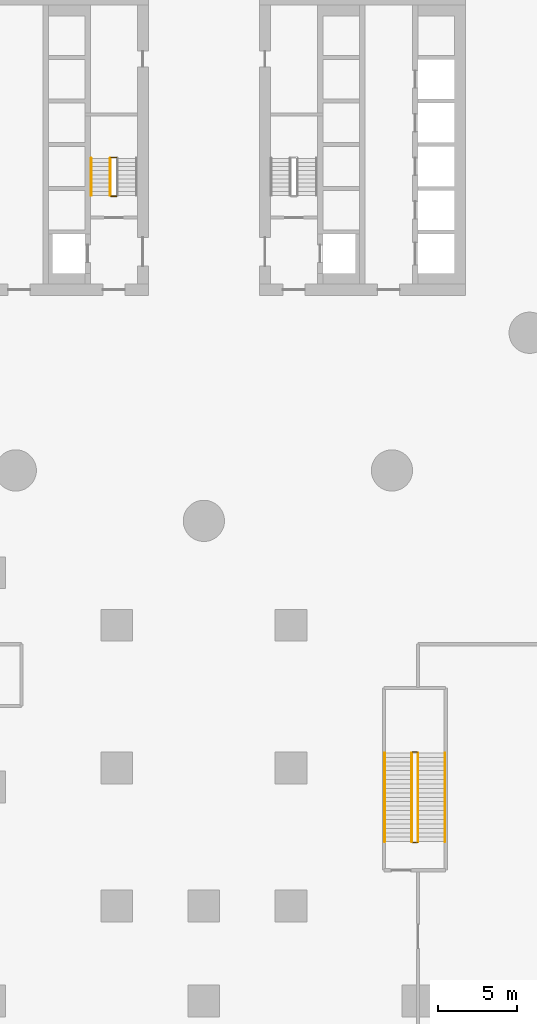
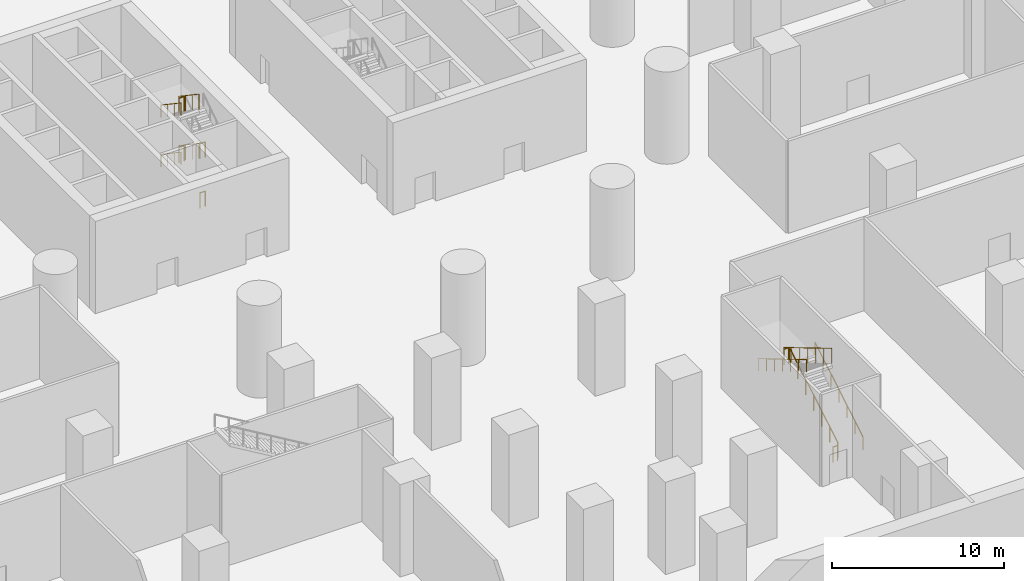
# One storey, part 18 of 30: 14 railings.
"""IFC4 building model written with IfcOpenShell, lengths in metres."""

import ifcopenshell
import ifcopenshell.guid

model = None  # the IFC model being written
_history = None  # IfcOwnerHistory: only IFC2X3 demands one
_inside = {}  # id of a spatial element -> (the spatial element, [elements in it])
_under = {}  # id of a project, library or spatial element -> (it, [spatial elements below it])
_declared = {}  # id of a project -> (the project, [libraries it declares])
_typed = {}  # id of a type object -> (the type object, [elements of that type])
_made_of = {}  # id of a material, layer set ... -> (it, [elements and type objects made of it])


def new_model(schema):
    """Start an empty IFC model of exactly this schema.

    Asked for "IFC4X3", IfcOpenShell would pick the latest addendum, in which some entities
    have other attributes; the version numbers below select the first issue.
    IFC2X3 requires an IfcOwnerHistory on every rooted entity: one is made here for all.
    """
    global model, _history
    if schema == "IFC4X3":
        model = ifcopenshell.file(schema_version=(4, 3, 0, 0))
    else:
        model = ifcopenshell.file(schema=schema)
    _inside.clear()
    _under.clear()
    _declared.clear()
    _typed.clear()
    _made_of.clear()
    _history = None
    if model.schema == "IFC2X3":
        org = make("IfcOrganization", Name="unknown")
        user = make(
            "IfcPersonAndOrganization",
            ThePerson=make("IfcPerson", FamilyName="unknown"),
            TheOrganization=org,
        )
        app = make(
            "IfcApplication",
            ApplicationDeveloper=org,
            Version="unknown",
            ApplicationFullName="unknown",
            ApplicationIdentifier="unknown",
        )
        _history = make(
            "IfcOwnerHistory",
            OwningUser=user,
            OwningApplication=app,
            ChangeAction="ADDED",
            CreationDate=0,
        )
    return model


def make(cls, **values):
    """One entity of the class cls with the attributes given. An attribute that is None is left unset."""
    return model.create_entity(
        cls, **{name: value for name, value in values.items() if value is not None}
    )


def rooted(cls, **values):
    """An entity with a GlobalId (a new one), such as an element, a storey or a relation."""
    return make(cls, GlobalId=ifcopenshell.guid.new(), OwnerHistory=_history, **values)


def si_unit(unit_type, name, prefix=None):
    """IfcSIUnit, for example si_unit("LENGTHUNIT", "METRE", prefix="MILLI")."""
    return make("IfcSIUnit", UnitType=unit_type, Prefix=prefix, Name=name)


def assignment(units):
    """IfcUnitAssignment: the units of a project."""
    return None if units is None else make("IfcUnitAssignment", Units=units)


def point(xyz):
    """IfcCartesianPoint."""
    return None if xyz is None else make("IfcCartesianPoint", Coordinates=xyz)


def direction(xyz):
    """IfcDirection."""
    return None if xyz is None else make("IfcDirection", DirectionRatios=xyz)


def frame(location, z_axis=None, x_axis=None):
    """IfcAxis2Placement3D, a coordinate frame: its origin and axes. An axis left out is left unset."""
    return make(
        "IfcAxis2Placement3D",
        Location=point(location),
        Axis=direction(z_axis),
        RefDirection=direction(x_axis),
    )


def frame_2d(location, x_axis=None):
    """IfcAxis2Placement2D, a coordinate frame in the plane: its origin and x axis."""
    return make(
        "IfcAxis2Placement2D", Location=point(location), RefDirection=direction(x_axis)
    )


def origin():
    """The frame at (0, 0, 0) with its axes left unset."""
    return frame((0.0, 0.0, 0.0))


def origin_2d():
    """The frame at (0, 0) in the plane with its x axis left unset."""
    return frame_2d((0.0, 0.0))


def place(relative_to, where):
    """IfcLocalPlacement: puts the frame where relative to a parent placement (None: the world)."""
    return make(
        "IfcLocalPlacement", PlacementRelTo=relative_to, RelativePlacement=where
    )


def context(
    kind, dimensions, precision=None, world=None, true_north=None, identifier=None
):
    """IfcGeometricRepresentationContext, for example the 3D "Model" context."""
    return make(
        "IfcGeometricRepresentationContext",
        ContextIdentifier=identifier,
        ContextType=kind,
        CoordinateSpaceDimension=dimensions,
        Precision=precision,
        WorldCoordinateSystem=world,
        TrueNorth=true_north,
    )


def subcontext(parent, identifier, kind, view, scale=None):
    """IfcGeometricRepresentationSubContext, for example "Body" below "Model"."""
    return make(
        "IfcGeometricRepresentationSubContext",
        ContextIdentifier=identifier,
        ContextType=kind,
        ParentContext=parent,
        TargetScale=scale,
        TargetView=view,
    )


def project(units=None, contexts=None):
    """IfcProject with its units and contexts."""
    return rooted(
        "IfcProject",
        Name="project",
        RepresentationContexts=contexts,
        UnitsInContext=assignment(units),
    )


def spatial(cls, under=None, at=None, **own):
    """A site, building, storey or space (cls), placed at a placement, below another one or the project."""
    s = rooted(cls, ObjectPlacement=at, **own)
    if under is not None:
        _under.setdefault(under.id(), (under, []))[1].append(s)
    return s


def profile(cls, at=None, kind="AREA", **sizes):
    """A parametric profile (cls). Its sizes go by their IFC names, for example OverallWidth=200.0."""
    return make(cls, ProfileType=kind, Position=at, **sizes)


def circle(**sizes):
    """IfcCircleProfileDef."""
    return profile("IfcCircleProfileDef", **sizes)


def extrude(swept, where, along, depth):
    """IfcExtrudedAreaSolid: the profile swept, set in the frame where, extruded along a direction by depth."""
    return make(
        "IfcExtrudedAreaSolid",
        SweptArea=swept,
        Position=where,
        ExtrudedDirection=direction(along),
        Depth=depth,
    )


def shape(context_of_items, identifier, shape_type, items):
    """IfcShapeRepresentation: the items that make up one representation, for example the "Body"."""
    return make(
        "IfcShapeRepresentation",
        ContextOfItems=context_of_items,
        RepresentationIdentifier=identifier,
        RepresentationType=shape_type,
        Items=items,
    )


def material(Name=None, Category=None):
    """IfcMaterial."""
    return make("IfcMaterial", Name=Name, Category=Category)


def made_of(thing, what):
    """Note that an element or type object is made of a material, layer set ...; save() writes the relation."""
    if what is not None:
        _made_of.setdefault(what.id(), (what, []))[1].append(thing)
    return thing


def type_object(cls, material=None, **own):
    """A type object (cls), such as IfcWallType, which elements share."""
    return made_of(rooted(cls, **own), material)


def element(
    cls,
    number,
    at=None,
    inside=None,
    cuts=None,
    type_object=None,
    material=None,
    context=None,
    identifier="Body",
    shape_type=None,
    held_by="IfcProductDefinitionShape",
    body=None,
    shapes=None,
    **own,
):
    """One element of the class cls, such as IfcWall. Its Tag is "e" and its number.

    at: its placement. inside: the storey or other place that contains it. cuts: it is an
    opening in that element (IfcRelVoidsElement). A single representation is given by context,
    identifier, shape_type and body (its items); several are given by shapes. held_by: the class
    of the entity that holds the representations. save() writes the other relations.
    """
    e = rooted(cls, Tag="e%d" % number, ObjectPlacement=at, **own)
    if body is not None:
        shapes = [shape(context, identifier, shape_type, body)]
    if shapes is not None:
        e.Representation = make(held_by, Representations=shapes)
    if inside is not None:
        _inside.setdefault(inside.id(), (inside, []))[1].append(e)
    if cuts is not None:
        rooted(
            "IfcRelVoidsElement", RelatingBuildingElement=cuts, RelatedOpeningElement=e
        )
    if type_object is not None:
        _typed.setdefault(type_object.id(), (type_object, []))[1].append(e)
    return made_of(e, material)


def aggregate(whole, parts):
    """IfcRelAggregates: a whole, such as a stair, and the parts it consists of."""
    return rooted("IfcRelAggregates", RelatingObject=whole, RelatedObjects=parts)


def save(model, path):
    """Write the relations noted so far, then the file.

    IfcRelAggregates (storeys below a building ...), IfcRelContainedInSpatialStructure (elements
    in a storey), IfcRelDefinesByType, IfcRelAssociatesMaterial and IfcRelDeclares: one each for
    every whole, place, type object, material and project.
    """
    for whole, parts in _under.values():
        aggregate(whole, parts)
    for where, things in _inside.values():
        rooted(
            "IfcRelContainedInSpatialStructure",
            RelatedElements=things,
            RelatingStructure=where,
        )
    for kind, things in _typed.values():
        rooted("IfcRelDefinesByType", RelatedObjects=things, RelatingType=kind)
    for what, things in _made_of.values():
        rooted("IfcRelAssociatesMaterial", RelatedObjects=things, RelatingMaterial=what)
    for by, libraries in _declared.values():
        rooted("IfcRelDeclares", RelatingContext=by, RelatedDefinitions=libraries)
    model.write(path)


model = new_model("IFC4")

# Units and contexts
model_context = context("Model", 3, precision=1e-05, world=origin(), true_north=direction((0.0, 1.0)))
body_context = subcontext(model_context, "Body", "Model", "MODEL_VIEW")
ifc_project = project(units=[si_unit("LENGTHUNIT", "METRE"), si_unit("AREAUNIT", "SQUARE_METRE"), si_unit("VOLUMEUNIT", "CUBIC_METRE"), si_unit("PLANEANGLEUNIT", "RADIAN"), si_unit("MASSUNIT", "GRAM", prefix="KILO")], contexts=[model_context])

# Site, building, storey
site_placement = place(None, origin())
site = spatial("IfcSite", under=ifc_project, at=site_placement, CompositionType="ELEMENT")
building_placement = place(site_placement, origin())
building = spatial("IfcBuilding", under=site, at=building_placement, Name="Tamarind Cross Interchange Tower", CompositionType="ELEMENT")
storey_placement = place(building_placement, frame((0.0, 0.0, -14.0)))
storey = spatial("IfcBuildingStorey", under=building, at=storey_placement, Name="B2", CompositionType="ELEMENT", Elevation=-14.0)

# Railings
ifc_material_1 = material(Name="Public stair guard")
railing_type_1 = type_object("IfcRailingType", Name="Public stair guard", PredefinedType="GUARDRAIL", material=ifc_material_1)
railing_1_placement = place(storey_placement, frame((13.5, -43.949951171875, 0.166748046875)))
element("IfcRailing", 1, at=railing_1_placement, inside=storey, type_object=railing_type_1, Name="B2 XS-P12 stair guard 1", PredefinedType="GUARDRAIL", context=body_context, shape_type="SweptSolid", body=[
    extrude(circle(Radius=0.02392578125, at=origin_2d()), frame((0.0, 0.0, 1.076171875), z_axis=(0.0, 0.859292492371, 0.511484518392), x_axis=(-1.0, 0.0, 0.0)), (0.0, 0.0, 1.0), 6.516845703125),
    extrude(circle(Radius=0.02099609375, at=origin_2d()), origin(), (0.0, 0.0, 1.0), 1.052001953125),
    extrude(circle(Radius=0.02099609375, at=origin_2d()), frame((0.0, 0.933349609375, 0.5556640625)), (0.0, 0.0, 1.0), 1.052001953125),
    extrude(circle(Radius=0.02099609375, at=origin_2d()), frame((0.0, 1.86669921875, 1.111083984375)), (0.0, 0.0, 1.0), 1.052001953125),
    extrude(circle(Radius=0.02099609375, at=origin_2d()), frame((0.0, 2.7998046875, 1.66650390625)), (0.0, 0.0, 1.0), 1.052001953125),
    extrude(circle(Radius=0.02099609375, at=origin_2d()), frame((0.0, 3.733154296875, 2.22216796875)), (0.0, 0.0, 1.0), 1.052001953125),
    extrude(circle(Radius=0.02099609375, at=origin_2d()), frame((0.0, 4.66650390625, 2.77783203125)), (0.0, 0.0, 1.0), 1.052001953125),
    extrude(circle(Radius=0.02099609375, at=origin_2d()), frame((0.0, 5.599853515625, 3.333251953125)), (0.0, 0.0, 1.0), 1.052001953125),
])
railing_2_placement = place(storey_placement, frame((13.449951171875, -38.300048828125, 3.5)))
element("IfcRailing", 2, at=railing_2_placement, inside=storey, type_object=railing_type_1, Name="B2 XS-P12 stair guard 2", PredefinedType="GUARDRAIL", context=body_context, shape_type="SweptSolid", body=[
    extrude(circle(Radius=0.02392578125, at=origin_2d()), frame((0.0, 0.0, 1.076171875), z_axis=(-1.0, 0.0, 0.0), x_axis=(0.0, -1.0, 0.0)), (0.0, 0.0, 1.0), 0.300048828125),
    extrude(circle(Radius=0.02099609375, at=origin_2d()), origin(), (0.0, 0.0, 1.0), 1.052001953125),
    extrude(circle(Radius=0.02099609375, at=origin_2d()), frame((-0.300048828125, 0.0, 0.0)), (0.0, 0.0, 1.0), 1.052001953125),
])
railing_3_placement = place(storey_placement, frame((13.10009765625, -38.35009765625, 3.666748046875)))
element("IfcRailing", 3, at=railing_3_placement, inside=storey, type_object=railing_type_1, Name="B2 XS-P12 stair guard 3", PredefinedType="GUARDRAIL", context=body_context, shape_type="SweptSolid", body=[
    extrude(circle(Radius=0.02392578125, at=origin_2d()), frame((0.0, 0.0, 1.076171875), z_axis=(0.0, -0.859292492371, 0.511484518392), x_axis=(1.0, 0.0, 0.0)), (0.0, 0.0, 1.0), 6.516845703125),
    extrude(circle(Radius=0.02099609375, at=origin_2d()), origin(), (0.0, 0.0, 1.0), 1.052001953125),
    extrude(circle(Radius=0.02099609375, at=origin_2d()), frame((0.0, -0.933349609375, 0.5556640625)), (0.0, 0.0, 1.0), 1.052001953125),
    extrude(circle(Radius=0.02099609375, at=origin_2d()), frame((0.0, -1.86669921875, 1.111083984375)), (0.0, 0.0, 1.0), 1.052001953125),
    extrude(circle(Radius=0.02099609375, at=origin_2d()), frame((0.0, -2.7998046875, 1.66650390625)), (0.0, 0.0, 1.0), 1.052001953125),
    extrude(circle(Radius=0.02099609375, at=origin_2d()), frame((0.0, -3.733154296875, 2.22216796875)), (0.0, 0.0, 1.0), 1.052001953125),
    extrude(circle(Radius=0.02099609375, at=origin_2d()), frame((0.0, -4.66650390625, 2.77783203125)), (0.0, 0.0, 1.0), 1.052001953125),
    extrude(circle(Radius=0.02099609375, at=origin_2d()), frame((0.0, -5.599853515625, 3.333251953125)), (0.0, 0.0, 1.0), 1.052001953125),
])
railing_4_placement = place(storey_placement, frame((13.449951171875, -44.0, 0.0)))
element("IfcRailing", 4, at=railing_4_placement, inside=storey, type_object=railing_type_1, Name="B2 XS-P12 stair guard 4", PredefinedType="GUARDRAIL", context=body_context, shape_type="SweptSolid", body=[
    extrude(circle(Radius=0.02392578125, at=origin_2d()), frame((0.0, 0.0, 1.076171875), z_axis=(-1.0, 0.0, 0.0), x_axis=(0.0, -1.0, 0.0)), (0.0, 0.0, 1.0), 0.300048828125),
    extrude(circle(Radius=0.02099609375, at=origin_2d()), origin(), (0.0, 0.0, 1.0), 1.052001953125),
    extrude(circle(Radius=0.02099609375, at=origin_2d()), frame((-0.300048828125, 0.0, 0.0)), (0.0, 0.0, 1.0), 1.052001953125),
])
ifc_material_2 = material(Name="Public stair handrail")
railing_type_2 = type_object("IfcRailingType", Name="Public stair handrail", PredefinedType="HANDRAIL", material=ifc_material_2)
railing_5_placement = place(storey_placement, frame((15.199951171875, -43.949951171875, 0.166748046875)))
element("IfcRailing", 5, at=railing_5_placement, inside=storey, type_object=railing_type_2, Name="B2 XS-P12 stair handrail 1", PredefinedType="HANDRAIL", context=body_context, shape_type="SweptSolid", body=[
    extrude(circle(Radius=0.02392578125, at=origin_2d()), frame((0.0, 0.0, 0.8759765625), z_axis=(0.0, 0.859292492371, 0.511484518392), x_axis=(-1.0, 0.0, 0.0)), (0.0, 0.0, 1.0), 6.516845703125),
    extrude(circle(Radius=0.02099609375, at=origin_2d()), origin(), (0.0, 0.0, 1.0), 0.851806640625),
    extrude(circle(Radius=0.02099609375, at=origin_2d()), frame((0.0, 0.933349609375, 0.5556640625)), (0.0, 0.0, 1.0), 0.851806640625),
    extrude(circle(Radius=0.02099609375, at=origin_2d()), frame((0.0, 1.86669921875, 1.111083984375)), (0.0, 0.0, 1.0), 0.851806640625),
    extrude(circle(Radius=0.02099609375, at=origin_2d()), frame((0.0, 2.7998046875, 1.66650390625)), (0.0, 0.0, 1.0), 0.851806640625),
    extrude(circle(Radius=0.02099609375, at=origin_2d()), frame((0.0, 3.733154296875, 2.22216796875)), (0.0, 0.0, 1.0), 0.851806640625),
    extrude(circle(Radius=0.02099609375, at=origin_2d()), frame((0.0, 4.66650390625, 2.77783203125)), (0.0, 0.0, 1.0), 0.851806640625),
    extrude(circle(Radius=0.02099609375, at=origin_2d()), frame((0.0, 5.599853515625, 3.333251953125)), (0.0, 0.0, 1.0), 0.851806640625),
])
railing_6_placement = place(storey_placement, frame((11.39990234375, -38.35009765625, 3.666748046875)))
element("IfcRailing", 6, at=railing_6_placement, inside=storey, type_object=railing_type_2, Name="B2 XS-P12 stair handrail 2", PredefinedType="HANDRAIL", context=body_context, shape_type="SweptSolid", body=[
    extrude(circle(Radius=0.02392578125, at=origin_2d()), frame((0.0, 0.0, 0.8759765625), z_axis=(0.0, -0.859292492371, 0.511484518392), x_axis=(1.0, 0.0, 0.0)), (0.0, 0.0, 1.0), 6.516845703125),
    extrude(circle(Radius=0.02099609375, at=origin_2d()), origin(), (0.0, 0.0, 1.0), 0.851806640625),
    extrude(circle(Radius=0.02099609375, at=origin_2d()), frame((0.0, -0.933349609375, 0.5556640625)), (0.0, 0.0, 1.0), 0.851806640625),
    extrude(circle(Radius=0.02099609375, at=origin_2d()), frame((0.0, -1.86669921875, 1.111083984375)), (0.0, 0.0, 1.0), 0.851806640625),
    extrude(circle(Radius=0.02099609375, at=origin_2d()), frame((0.0, -2.7998046875, 1.66650390625)), (0.0, 0.0, 1.0), 0.851806640625),
    extrude(circle(Radius=0.02099609375, at=origin_2d()), frame((0.0, -3.733154296875, 2.22216796875)), (0.0, 0.0, 1.0), 0.851806640625),
    extrude(circle(Radius=0.02099609375, at=origin_2d()), frame((0.0, -4.66650390625, 2.77783203125)), (0.0, 0.0, 1.0), 0.851806640625),
    extrude(circle(Radius=0.02099609375, at=origin_2d()), frame((0.0, -5.599853515625, 3.333251953125)), (0.0, 0.0, 1.0), 0.851806640625),
])
ifc_material_3 = material(Name="Stair guard")
railing_type_3 = type_object("IfcRailingType", Name="Stair guard", PredefinedType="GUARDRAIL", material=ifc_material_3)
railing_7_placement = place(storey_placement, frame((-5.5, -0.81005859375, 1.75)))
element("IfcRailing", 7, at=railing_7_placement, inside=storey, type_object=railing_type_3, Name="B2 ST1 stair guard 2", PredefinedType="GUARDRAIL", context=body_context, shape_type="SweptSolid", body=[
    extrude(circle(Radius=0.02392578125, at=origin_2d()), frame((0.0, 0.0, 1.076171875), z_axis=(-1.0, 0.0, 0.0), x_axis=(0.0, -1.0, 0.0)), (0.0, 0.0, 1.0), 0.35009765625),
    extrude(circle(Radius=0.02099609375, at=origin_2d()), origin(), (0.0, 0.0, 1.0), 1.052001953125),
    extrude(circle(Radius=0.02099609375, at=origin_2d()), frame((-0.35009765625, 0.0, 0.0)), (0.0, 0.0, 1.0), 1.052001953125),
])
railing_8_placement = place(storey_placement, frame((-5.89990234375, -0.860107421875, 1.925048828125)))
element("IfcRailing", 8, at=railing_8_placement, inside=storey, type_object=railing_type_3, Name="B2 ST1 stair guard 3", PredefinedType="GUARDRAIL", context=body_context, shape_type="SweptSolid", body=[
    extrude(circle(Radius=0.02392578125, at=origin_2d()), frame((0.0, 0.0, 1.076171875), z_axis=(0.0, -0.829578494604, 0.558390115681), x_axis=(1.0, 0.0, 0.0)), (0.0, 0.0, 1.0), 2.820556640625),
    extrude(circle(Radius=0.02099609375, at=origin_2d()), origin(), (0.0, 0.0, 1.0), 1.052001953125),
    extrude(circle(Radius=0.02099609375, at=origin_2d()), frame((0.0, -0.780029296875, 0.52490234375)), (0.0, 0.0, 1.0), 1.052001953125),
    extrude(circle(Radius=0.02099609375, at=origin_2d()), frame((0.0, -1.559814453125, 1.050048828125)), (0.0, 0.0, 1.0), 1.052001953125),
    extrude(circle(Radius=0.02099609375, at=origin_2d()), frame((0.0, -2.33984375, 1.574951171875)), (0.0, 0.0, 1.0), 1.052001953125),
])
for number, where, name in (
    (9, (-5.5, -3.25, 3.5), "B2 ST1 stair guard 4"),
    (10, (-5.5, -0.81005859375, 5.25), "B2 ST1 stair guard 6"),
):
    element("IfcRailing", number, at=place(storey_placement, frame(where)), inside=storey, type_object=railing_type_3, Name=name, PredefinedType="GUARDRAIL", context=body_context, shape_type="SweptSolid", body=[
        extrude(circle(Radius=0.02392578125, at=origin_2d()), frame((0.0, 0.0, 1.076171875), z_axis=(-1.0, 0.0, 0.0), x_axis=(0.0, -1.0, 0.0)), (0.0, 0.0, 1.0), 0.35009765625),
        extrude(circle(Radius=0.02099609375, at=origin_2d()), origin(), (0.0, 0.0, 1.0), 1.052001953125),
        extrude(circle(Radius=0.02099609375, at=origin_2d()), frame((-0.35009765625, 0.0, 0.0)), (0.0, 0.0, 1.0), 1.052001953125),
    ])
railing_9_placement = place(storey_placement, frame((-5.89990234375, -0.860107421875, 5.425048828125)))
element("IfcRailing", 11, at=railing_9_placement, inside=storey, type_object=railing_type_3, Name="B2 ST1 stair guard 7", PredefinedType="GUARDRAIL", context=body_context, shape_type="SweptSolid", body=[
    extrude(circle(Radius=0.02392578125, at=origin_2d()), frame((0.0, 0.0, 1.076171875), z_axis=(0.0, -0.829578494604, 0.558390115681), x_axis=(1.0, 0.0, 0.0)), (0.0, 0.0, 1.0), 2.820556640625),
    extrude(circle(Radius=0.02099609375, at=origin_2d()), origin(), (0.0, 0.0, 1.0), 1.052001953125),
    extrude(circle(Radius=0.02099609375, at=origin_2d()), frame((0.0, -0.780029296875, 0.52490234375)), (0.0, 0.0, 1.0), 1.052001953125),
    extrude(circle(Radius=0.02099609375, at=origin_2d()), frame((0.0, -1.559814453125, 1.050048828125)), (0.0, 0.0, 1.0), 1.052001953125),
    extrude(circle(Radius=0.02099609375, at=origin_2d()), frame((0.0, -2.33984375, 1.574951171875)), (0.0, 0.0, 1.0), 1.052001953125),
])
railing_10_placement = place(storey_placement, frame((-5.5, -3.25, 0.0)))
element("IfcRailing", 12, at=railing_10_placement, inside=storey, type_object=railing_type_3, Name="B2 ST1 stair guard 8", PredefinedType="GUARDRAIL", context=body_context, shape_type="SweptSolid", body=[
    extrude(circle(Radius=0.02392578125, at=origin_2d()), frame((0.0, 0.0, 1.076171875), z_axis=(-1.0, 0.0, 0.0), x_axis=(0.0, -1.0, 0.0)), (0.0, 0.0, 1.0), 0.35009765625),
    extrude(circle(Radius=0.02099609375, at=origin_2d()), origin(), (0.0, 0.0, 1.0), 1.052001953125),
    extrude(circle(Radius=0.02099609375, at=origin_2d()), frame((-0.35009765625, 0.0, 0.0)), (0.0, 0.0, 1.0), 1.052001953125),
])
ifc_material_4 = material(Name="Stair handrail")
railing_type_4 = type_object("IfcRailingType", Name="Stair handrail", PredefinedType="HANDRAIL", material=ifc_material_4)
for number, where, name in (
    (13, (-7.10009765625, -0.860107421875, 1.925048828125), "B2 ST1 stair handrail 2"),
    (14, (-7.10009765625, -0.860107421875, 5.425048828125), "B2 ST1 stair handrail 4"),
):
    element("IfcRailing", number, at=place(storey_placement, frame(where)), inside=storey, type_object=railing_type_4, Name=name, PredefinedType="HANDRAIL", context=body_context, shape_type="SweptSolid", body=[
        extrude(circle(Radius=0.02392578125, at=origin_2d()), frame((0.0, 0.0, 0.8759765625), z_axis=(0.0, -0.829578494604, 0.558390115681), x_axis=(1.0, 0.0, 0.0)), (0.0, 0.0, 1.0), 2.820556640625),
        extrude(circle(Radius=0.02099609375, at=origin_2d()), origin(), (0.0, 0.0, 1.0), 0.851806640625),
        extrude(circle(Radius=0.02099609375, at=origin_2d()), frame((0.0, -0.780029296875, 0.52490234375)), (0.0, 0.0, 1.0), 0.851806640625),
        extrude(circle(Radius=0.02099609375, at=origin_2d()), frame((0.0, -1.559814453125, 1.050048828125)), (0.0, 0.0, 1.0), 0.851806640625),
        extrude(circle(Radius=0.02099609375, at=origin_2d()), frame((0.0, -2.33984375, 1.574951171875)), (0.0, 0.0, 1.0), 0.851806640625),
    ])

save(model, "model.ifc")
